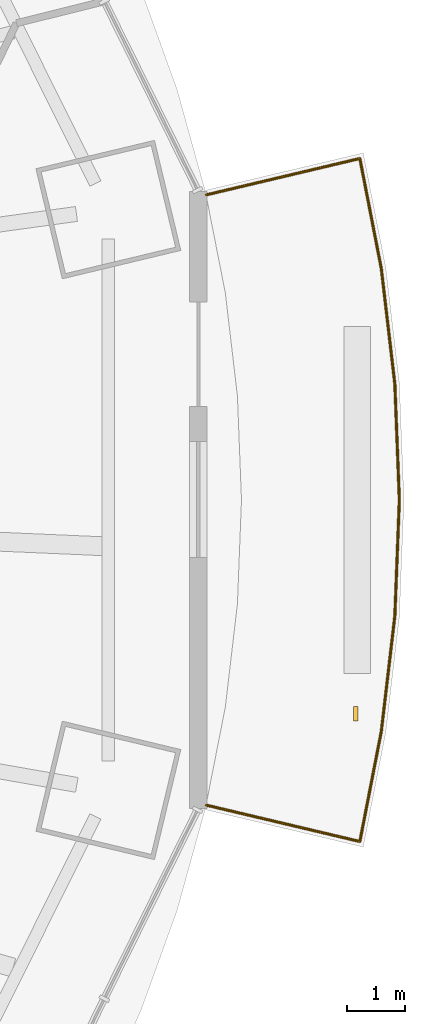
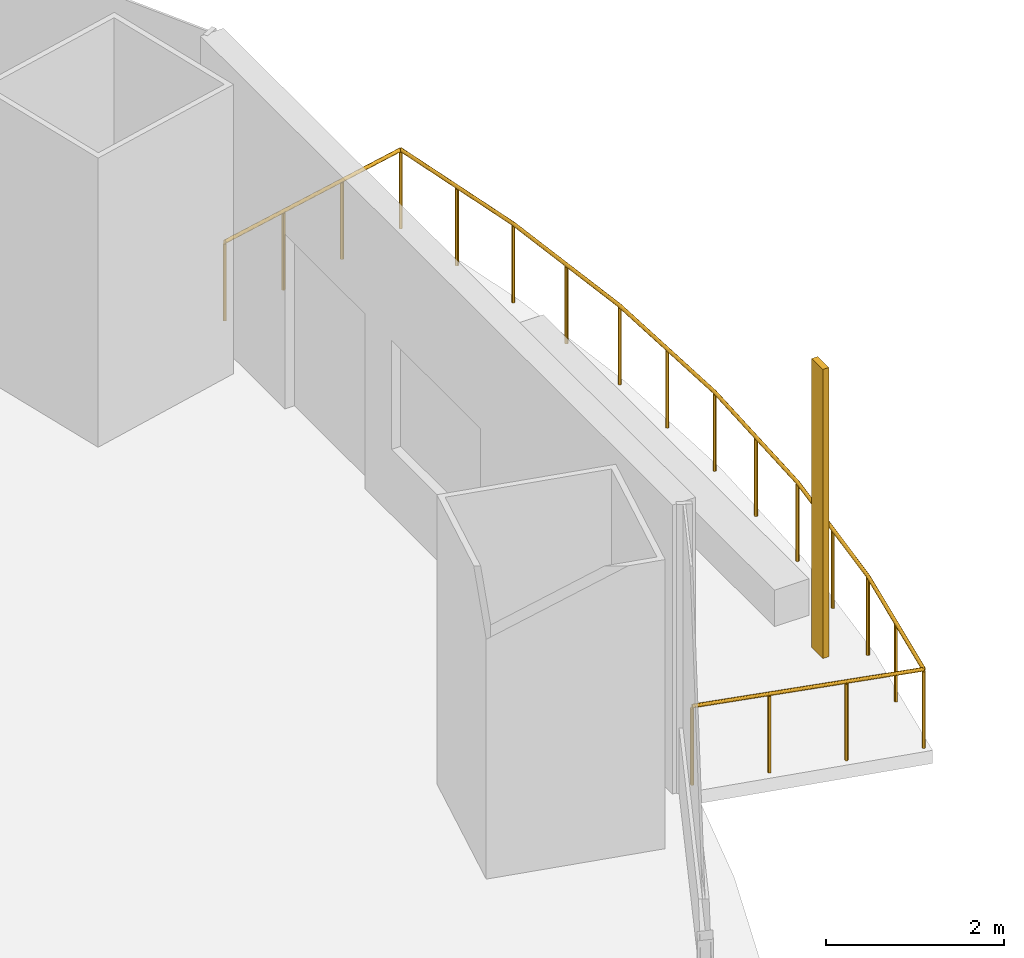
# One storey, part 19 of 20: 1 railing, 1 shading device.
"""IFC4 building model written with IfcOpenShell, lengths in metres."""

from ifc_helpers import new_model, si_unit, direction, frame, origin, origin_2d, place, context, subcontext, project, spatial, rectangle, circle, extrude, material, material_profile, profile_set, type_object, element, save


model = new_model("IFC4")

# Units and contexts
model_context = context("Model", 3, precision=1e-05, world=origin(), true_north=direction((0.0, 1.0)))
body_context = subcontext(model_context, "Body", "Model", "MODEL_VIEW")
ifc_project = project(units=[si_unit("LENGTHUNIT", "METRE"), si_unit("AREAUNIT", "SQUARE_METRE"), si_unit("VOLUMEUNIT", "CUBIC_METRE"), si_unit("PLANEANGLEUNIT", "RADIAN"), si_unit("MASSUNIT", "GRAM", prefix="KILO")], contexts=[model_context])

# Site, building, storey
site_placement = place(None, origin())
site = spatial("IfcSite", under=ifc_project, at=site_placement, CompositionType="ELEMENT")
building_placement = place(site_placement, origin())
building = spatial("IfcBuilding", under=site, at=building_placement, Name="Marenthal Gate Tower", CompositionType="ELEMENT")
storey_placement = place(building_placement, frame((0.0, 0.0, 173.5)))
storey = spatial("IfcBuildingStorey", under=building, at=storey_placement, Name="L37", CompositionType="ELEMENT", Elevation=173.5)

# Railing
ifc_material_1 = material(Name="Stainless steel", Category="steel")
railing_type = type_object("IfcRailingType", Name="Balcony guard 1100", PredefinedType="GUARDRAIL", material=ifc_material_1)
railing_placement = place(storey_placement, frame((33.76953125, 4.656982421875, 0.0)))
element("IfcRailing", 1, at=railing_placement, inside=storey, type_object=railing_type, Name="Balcony guard L37 bay 16", PredefinedType="GUARDRAIL", context=body_context, shape_type="SweptSolid", body=[
    extrude(circle(Radius=0.02392578125, at=origin_2d()), frame((0.0, 0.0, 1.076171875), z_axis=(0.972987052972, 0.230389979244, -0.014719110478), x_axis=(-0.230414940549, 0.973092470001, 0.0)), (0.0, 0.0, 1.0), 2.72021484375),
    extrude(circle(Radius=0.02392578125, at=origin_2d()), frame((2.646728515625, 0.626708984375, 1.0361328125), z_axis=(0.191367617188, -0.981518433394, 0.0), x_axis=(0.981518433394, 0.191367617188, 0.0)), (0.0, 0.0, 1.0), 1.928955078125),
    extrude(circle(Radius=0.02392578125, at=origin_2d()), frame((3.015869140625, -1.2666015625, 1.0361328125), z_axis=(0.116593836363, -0.993179680281, 0.0), x_axis=(0.993179680281, 0.116593836363, 0.0)), (0.0, 0.0, 1.0), 2.00390625),
    extrude(circle(Radius=0.02392578125, at=origin_2d()), frame((3.24951171875, -3.2568359375, 1.0361328125), z_axis=(0.038906197322, -0.99924286728, 0.0), x_axis=(0.99924286728, 0.038906197322, 0.0)), (0.0, 0.0, 1.0), 2.001708984375),
    extrude(circle(Radius=0.02392578125, at=origin_2d()), frame((3.327392578125, -5.257080078125, 1.0361328125), z_axis=(-0.038910939424, -0.999242682632, 0.0), x_axis=(0.999242682632, -0.038910939424, 0.0)), (0.0, 0.0, 1.0), 2.00146484375),
    extrude(circle(Radius=0.02392578125, at=origin_2d()), frame((3.24951171875, -7.257080078125, 1.0361328125), z_axis=(-0.116593836363, -0.993179680281, 0.0), x_axis=(0.993179680281, -0.116593836363, 0.0)), (0.0, 0.0, 1.0), 2.00390625),
    extrude(circle(Radius=0.02392578125, at=origin_2d()), frame((3.015869140625, -9.247314453125, 1.0361328125), z_axis=(-0.191367617188, -0.981518433394, 0.0), x_axis=(0.981518433394, -0.191367617188, 0.0)), (0.0, 0.0, 1.0), 1.928955078125),
    extrude(circle(Radius=0.02392578125, at=origin_2d()), frame((2.646728515625, -11.140625, 1.0361328125), z_axis=(-0.972987052972, 0.230389979244, 0.014719110478), x_axis=(-0.230414940549, -0.973092470001, 0.0)), (0.0, 0.0, 1.0), 2.72021484375),
    extrude(circle(Radius=0.02099609375, at=origin_2d()), origin(), (0.0, 0.0, 1.0), 1.052001953125),
    extrude(circle(Radius=0.02099609375, at=origin_2d()), frame((0.88232421875, 0.208984375, -0.013427734375)), (0.0, 0.0, 1.0), 1.052001953125),
    extrude(circle(Radius=0.02099609375, at=origin_2d()), frame((1.764404296875, 0.417724609375, -0.026611328125)), (0.0, 0.0, 1.0), 1.052001953125),
    extrude(circle(Radius=0.02099609375, at=origin_2d()), frame((2.646728515625, 0.626708984375, -0.0400390625)), (0.0, 0.0, 1.0), 1.052001953125),
    extrude(circle(Radius=0.02099609375, at=origin_2d()), frame((2.831298828125, -0.31982421875, -0.0400390625)), (0.0, 0.0, 1.0), 1.052001953125),
    extrude(circle(Radius=0.02099609375, at=origin_2d()), frame((3.015869140625, -1.2666015625, -0.0400390625)), (0.0, 0.0, 1.0), 1.052001953125),
    extrude(circle(Radius=0.02099609375, at=origin_2d()), frame((3.1328125, -2.26171875, -0.0400390625)), (0.0, 0.0, 1.0), 1.052001953125),
    extrude(circle(Radius=0.02099609375, at=origin_2d()), frame((3.24951171875, -3.2568359375, -0.0400390625)), (0.0, 0.0, 1.0), 1.052001953125),
    extrude(circle(Radius=0.02099609375, at=origin_2d()), frame((3.28857421875, -4.2568359375, -0.0400390625)), (0.0, 0.0, 1.0), 1.052001953125),
    extrude(circle(Radius=0.02099609375, at=origin_2d()), frame((3.327392578125, -5.257080078125, -0.0400390625)), (0.0, 0.0, 1.0), 1.052001953125),
    extrude(circle(Radius=0.02099609375, at=origin_2d()), frame((3.28857421875, -6.257080078125, -0.0400390625)), (0.0, 0.0, 1.0), 1.052001953125),
    extrude(circle(Radius=0.02099609375, at=origin_2d()), frame((3.24951171875, -7.257080078125, -0.0400390625)), (0.0, 0.0, 1.0), 1.052001953125),
    extrude(circle(Radius=0.02099609375, at=origin_2d()), frame((3.1328125, -8.252197265625, -0.0400390625)), (0.0, 0.0, 1.0), 1.052001953125),
    extrude(circle(Radius=0.02099609375, at=origin_2d()), frame((3.015869140625, -9.247314453125, -0.0400390625)), (0.0, 0.0, 1.0), 1.052001953125),
    extrude(circle(Radius=0.02099609375, at=origin_2d()), frame((2.831298828125, -10.19384765625, -0.0400390625)), (0.0, 0.0, 1.0), 1.052001953125),
    extrude(circle(Radius=0.02099609375, at=origin_2d()), frame((2.646728515625, -11.140625, -0.0400390625)), (0.0, 0.0, 1.0), 1.052001953125),
    extrude(circle(Radius=0.02099609375, at=origin_2d()), frame((1.764404296875, -10.931640625, -0.026611328125)), (0.0, 0.0, 1.0), 1.052001953125),
    extrude(circle(Radius=0.02099609375, at=origin_2d()), frame((0.88232421875, -10.722900390625, -0.013427734375)), (0.0, 0.0, 1.0), 1.052001953125),
    extrude(circle(Radius=0.02099609375, at=origin_2d()), frame((0.0, -10.513916015625, 0.0)), (0.0, 0.0, 1.0), 1.052001953125),
])

# Shading device
ifc_material_2 = material(Name="Terracotta", Category="masonry")
ifc_material_profile = material_profile(ifc_material_2, rectangle(XDim=0.25, YDim=0.080078125, at=origin_2d()), Name="Terracotta baguette 250x80")
ifc_profile_set = profile_set([ifc_material_profile], Name="Terracotta")
shading_device_type = type_object("IfcShadingDeviceType", Name="Terracotta BAGUETTE SCREEN 250x80", PredefinedType="USERDEFINED", material=ifc_profile_set)
shading_device_placement = place(storey_placement, frame((36.344970703125, -4.280517578125, -0.0400390625), z_axis=(0.0, 0.0, 1.0), x_axis=(0.0, 1.0, 0.0)))
element("IfcShadingDevice", 2, at=shading_device_placement, inside=storey, type_object=shading_device_type, Name="Terracotta BAGUETTE L37 bay 16L", ObjectType="BAGUETTE SCREEN", PredefinedType="USERDEFINED", context=body_context, shape_type="SweptSolid", body=[
    extrude(rectangle(XDim=0.25, YDim=0.080078125, at=origin_2d()), origin(), (0.0, 0.0, 1.0), 3.969970703125),
])

save(model, "model.ifc")
